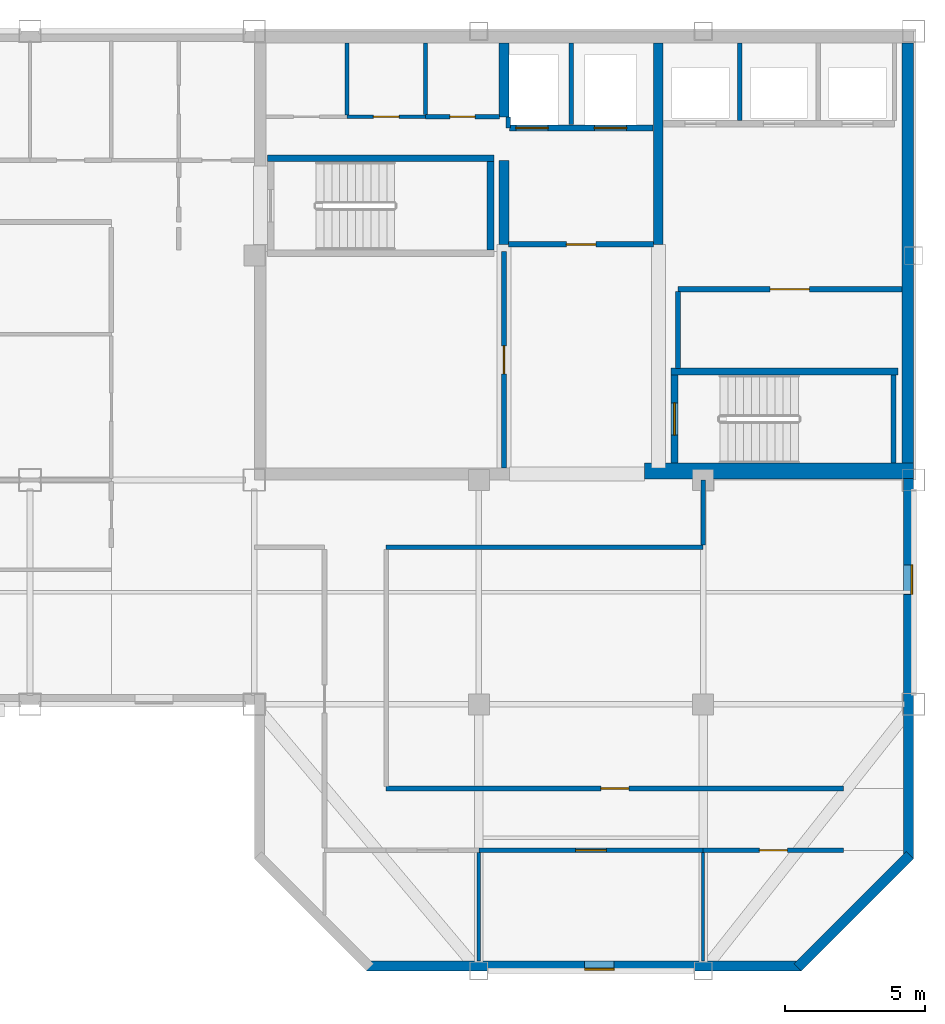
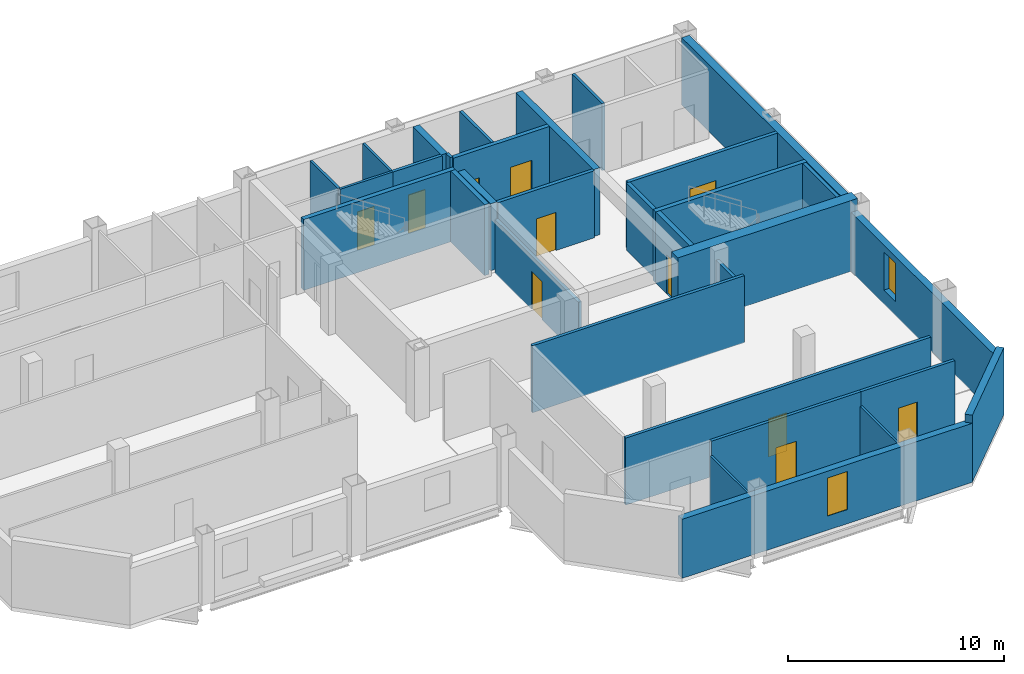
# One storey, part 3 of 7: 32 walls, 11 doors, 2 windows, 13 openings.
"""IFC4 building model written with IfcOpenShell, lengths in metres."""

from ifc_helpers import new_model, si_unit, direction, frame, frame_2d, origin, place, context, subcontext, project, spatial, rectangle, extrude, material, layer, layer_set, type_object, element, fill, save


model = new_model("IFC4")

# Units and contexts
model_context = context("Model", 3, precision=1e-05, world=origin(), true_north=direction((0.0, 1.0)))
body_context = subcontext(model_context, "Body", "Model", "MODEL_VIEW")
ifc_project = project(units=[si_unit("LENGTHUNIT", "METRE"), si_unit("AREAUNIT", "SQUARE_METRE"), si_unit("VOLUMEUNIT", "CUBIC_METRE"), si_unit("PLANEANGLEUNIT", "RADIAN"), si_unit("MASSUNIT", "GRAM", prefix="KILO")], contexts=[model_context])

# Site, building, storey
site_placement = place(None, origin())
site = spatial("IfcSite", under=ifc_project, at=site_placement, CompositionType="ELEMENT")
building_placement = place(site_placement, origin())
building = spatial("IfcBuilding", under=site, at=building_placement, Name="Qianrong Seaharbour Tower", CompositionType="ELEMENT")
storey_placement = place(building_placement, frame((0.0, 0.0, 303.199951171875)))
storey = spatial("IfcBuildingStorey", under=building, at=storey_placement, Name="L73", CompositionType="ELEMENT", Elevation=303.199951171875)

# Walls
ifc_material_1 = material(Name="Concrete C50/60", Category="concrete")
ifc_layer_1 = layer(ifc_material_1, 0.419921875)
ifc_layer_set_1 = layer_set([ifc_layer_1], Name="Concrete C50/60")
wall_type_1 = type_object("IfcWallType", Name="WALL-CORE-420", PredefinedType="SHEAR", material=ifc_layer_set_1)
wall_1_placement = place(storey_placement, frame((63.7900390625, 36.320068359375, 0.0), z_axis=(0.0, 0.0, 1.0), x_axis=(0.0, 1.0, 0.0)))
element("IfcWall", 1, at=wall_1_placement, inside=storey, type_object=wall_type_1, Name="L73 East Core Shear Wall", PredefinedType="SHEAR", context=body_context, shape_type="SweptSolid", body=[
    extrude(rectangle(XDim=15.260009765625, YDim=0.419921875, at=frame_2d((7.6298828125, 0.0))), origin(), (0.0, 0.0, 1.0), 3.78515625),
])
ifc_material_2 = material(Name="Concrete C70/85", Category="concrete")
ifc_layer_2 = layer(ifc_material_2, 0.580078125)
ifc_layer_set_2 = layer_set([ifc_layer_2], Name="Concrete C70/85")
wall_type_2 = type_object("IfcWallType", Name="WALL-CORE-580", PredefinedType="SHEAR", material=ifc_layer_set_2)
wall_2_placement = place(storey_placement, frame((54.39990234375, 36.320068359375, 0.0), z_axis=(0.0, 0.0, 1.0), x_axis=(1.0, 0.0, 0.0)))
element("IfcWall", 2, at=wall_2_placement, inside=storey, type_object=wall_type_2, Name="L73 South Core Shear Wall S3", PredefinedType="SHEAR", context=body_context, shape_type="SweptSolid", body=[
    extrude(rectangle(XDim=9.60009765625, YDim=0.580078125, at=frame_2d((4.800048828125, 0.0))), origin(), (0.0, 0.0, 1.0), 4.0),
])
ifc_layer_3 = layer(ifc_material_1, 0.35009765625)
ifc_layer_set_3 = layer_set([ifc_layer_3], Name="Concrete C50/60")
wall_type_3 = type_object("IfcWallType", Name="WALL-CORE-INT-350", PredefinedType="SHEAR", material=ifc_layer_set_3)
wall_3_placement = place(storey_placement, frame((49.39990234375, 44.39990234375, 0.0), z_axis=(0.0, 0.0, 1.0), x_axis=(0.0, 1.0, 0.0)))
element("IfcWall", 3, at=wall_3_placement, inside=storey, type_object=wall_type_3, Name="L73 Internal Core Shear Wall IW1N1", PredefinedType="SHEAR", context=body_context, shape_type="SweptSolid", body=[
    extrude(rectangle(XDim=3.0, YDim=0.35009765625, at=frame_2d((1.5, 0.0))), origin(), (0.0, 0.0, 1.0), 3.78515625),
])
wall_4_placement = place(storey_placement, frame((49.39990234375, 48.949951171875, 0.0), z_axis=(0.0, 0.0, 1.0), x_axis=(0.0, 1.0, 0.0)))
element("IfcWall", 4, at=wall_4_placement, inside=storey, type_object=wall_type_3, Name="L73 Internal Core Shear Wall IW1N2", PredefinedType="SHEAR", context=body_context, shape_type="SweptSolid", body=[
    extrude(rectangle(XDim=2.630126953125, YDim=0.35009765625, at=frame_2d((1.31494140625, 0.0))), origin(), (0.0, 0.0, 1.0), 3.78515625),
])
wall_5_placement = place(storey_placement, frame((54.89990234375, 44.39990234375, 0.0), z_axis=(0.0, 0.0, 1.0), x_axis=(0.0, 1.0, 0.0)))
element("IfcWall", 5, at=wall_5_placement, inside=storey, type_object=wall_type_3, Name="L73 Internal Core Shear Wall IW2N", PredefinedType="SHEAR", context=body_context, shape_type="SweptSolid", body=[
    extrude(rectangle(XDim=7.18017578125, YDim=0.35009765625, at=frame_2d((3.590087890625, 0.0))), origin(), (0.0, 0.0, 1.0), 3.78515625),
])

# Wall, opening, door
ifc_material_3 = material(Name="Fire-rated acoustic gypsum board partition")
ifc_layer_4 = layer(ifc_material_3, 0.1650390625)
ifc_layer_set_4 = layer_set([ifc_layer_4], Name="Fire-rated acoustic gypsum board partition")
wall_type_4 = type_object("IfcWallType", Name="WALL-CORR-PART-165", PredefinedType="PARTITIONING", material=ifc_layer_set_4)
wall_6_placement = place(storey_placement, frame((46.60009765625, 48.949951171875, 0.0), z_axis=(0.0, 0.0, 1.0), x_axis=(1.0, 0.0, 0.0)))
wall_6 = element("IfcWall", 6, at=wall_6_placement, inside=storey, type_object=wall_type_4, Name="L73 Interior Partition Wall 009", PredefinedType="PARTITIONING", context=body_context, shape_type="SweptSolid", body=[
    extrude(rectangle(XDim=2.6328125, YDim=0.1650390625, at=frame_2d((1.31640625, 0.0))), origin(), (0.0, 0.0, 1.0), 3.78515625),
])
opening_1_placement = place(wall_6_placement, frame((0.866455078125, 0.0, 0.0)))
opening_1 = element("IfcOpeningElement", 7, at=opening_1_placement, cuts=wall_6, Name="Opening DS-01", PredefinedType="OPENING", context=body_context, shape_type="SweptSolid", body=[
    extrude(rectangle(XDim=0.89990234375, YDim=2.14990234375, at=frame_2d((0.449951171875, 1.074951171875))), frame((0.0, 0.092529296875, 0.0), z_axis=(0.0, -1.0, 0.0), x_axis=(1.0, 0.0, 0.0)), (0.0, 0.0, 1.0), 0.18505859375),
])
ifc_material_4 = material(Name="Acoustic timber and galvanized steel fire door assembly", Category="steel")
door_type_1 = type_object("IfcDoorType", Name="DOOR-STORE-900x2150", OperationType="NOTDEFINED", PredefinedType="DOOR", material=ifc_material_4)
door_1_placement = place(opening_1_placement, origin())
door_1 = element("IfcDoor", 8, at=door_1_placement, inside=storey, type_object=door_type_1, Name="L73 Cleaner Store Room Door", OperationType="SINGLE_SWING_RIGHT", OverallHeight=2.14990234375, OverallWidth=0.89990234375, PredefinedType="DOOR", context=body_context, shape_type="SweptSolid", body=[
    extrude(rectangle(XDim=0.89990234375, YDim=2.14990234375, at=frame_2d((0.449951171875, 1.074951171875))), frame((0.0, 0.02490234375, 0.0), z_axis=(0.0, -1.0, 0.0), x_axis=(1.0, 0.0, 0.0)), (0.0, 0.0, 1.0), 0.050048828125),
])
fill(opening_1, door_1)

wall_7_placement = place(storey_placement, frame((49.39990234375, 36.419921875, 0.0), z_axis=(0.0, 0.0, 1.0), x_axis=(0.0, 1.0, 0.0)))
wall_7 = element("IfcWall", 9, at=wall_7_placement, inside=storey, type_object=wall_type_4, Name="L73 Interior Partition Wall 011", PredefinedType="PARTITIONING", context=body_context, shape_type="SweptSolid", body=[
    extrude(rectangle(XDim=7.72998046875, YDim=0.1650390625, at=frame_2d((3.864990234375, 0.0))), origin(), (0.0, 0.0, 1.0), 3.027099609375),
])
opening_2_placement = place(wall_7_placement, frame((3.364990234375, 0.0, 0.0)))
opening_2 = element("IfcOpeningElement", 10, at=opening_2_placement, cuts=wall_7, Name="Opening DO-01", PredefinedType="OPENING", context=body_context, shape_type="SweptSolid", body=[
    extrude(rectangle(XDim=1.0, YDim=2.14990234375, at=frame_2d((0.5, 1.074951171875))), frame((0.0, 0.092529296875, 0.0), z_axis=(0.0, -1.0, 0.0), x_axis=(1.0, 0.0, 0.0)), (0.0, 0.0, 1.0), 0.18505859375),
])
door_type_2 = type_object("IfcDoorType", Name="DOOR-OFFICE-1000x2150", OperationType="NOTDEFINED", PredefinedType="DOOR", material=ifc_material_4)
door_2_placement = place(opening_2_placement, origin())
door_2 = element("IfcDoor", 11, at=door_2_placement, inside=storey, type_object=door_type_2, Name="L73 Data Systems Office Door", OperationType="SINGLE_SWING_LEFT", OverallHeight=2.14990234375, OverallWidth=1.0, PredefinedType="DOOR", context=body_context, shape_type="SweptSolid", body=[
    extrude(rectangle(XDim=1.0, YDim=2.14990234375, at=frame_2d((0.5, 1.074951171875))), frame((0.0, 0.02490234375, 0.0), z_axis=(0.0, -1.0, 0.0), x_axis=(1.0, 0.0, 0.0)), (0.0, 0.0, 1.0), 0.050048828125),
])
fill(opening_2, door_2)

# Walls
wall_8_placement = place(storey_placement, frame((56.5, 36.0, 0.0), z_axis=(0.0, 0.0, 1.0), x_axis=(0.0, -1.0, 0.0)))
element("IfcWall", 12, at=wall_8_placement, inside=storey, type_object=wall_type_4, Name="L73 Interior Partition Wall 024", PredefinedType="PARTITIONING", context=body_context, shape_type="SweptSolid", body=[
    extrude(rectangle(XDim=2.325439453125, YDim=0.1650390625, at=frame_2d((1.16259765625, 0.0))), origin(), (0.0, 0.0, 1.0), 3.177001953125),
])
wall_9_placement = place(storey_placement, frame((56.5, 33.60009765625, 0.0), z_axis=(0.0, 0.0, 1.0), x_axis=(-1.0, 0.0, 0.0)))
element("IfcWall", 13, at=wall_9_placement, inside=storey, type_object=wall_type_4, Name="L73 Interior Partition Wall 025", PredefinedType="PARTITIONING", context=body_context, shape_type="SweptSolid", body=[
    extrude(rectangle(XDim=11.300048828125, YDim=0.1650390625, at=frame_2d((5.64990234375, 0.0))), origin(), (0.0, 0.0, 1.0), 3.78515625),
])

# Wall, opening, door
wall_10_placement = place(storey_placement, frame((45.199951171875, 25.0, 0.0), z_axis=(0.0, 0.0, 1.0), x_axis=(1.0, 0.0, 0.0)))
wall_10 = element("IfcWall", 14, at=wall_10_placement, inside=storey, type_object=wall_type_4, Name="L73 Interior Partition Wall 030", PredefinedType="PARTITIONING", context=body_context, shape_type="SweptSolid", body=[
    extrude(rectangle(XDim=16.300048828125, YDim=0.1650390625, at=frame_2d((8.14990234375, 0.0))), origin(), (0.0, 0.0, 1.0), 3.78515625),
])
opening_3_placement = place(wall_10_placement, frame((7.64990234375, 0.0, 0.0)))
opening_3 = element("IfcOpeningElement", 15, at=opening_3_placement, cuts=wall_10, Name="Opening DO-01", PredefinedType="OPENING", context=body_context, shape_type="SweptSolid", body=[
    extrude(rectangle(XDim=1.0, YDim=2.14990234375, at=frame_2d((0.5, 1.074951171875))), frame((0.0, 0.092529296875, 0.0), z_axis=(0.0, -1.0, 0.0), x_axis=(1.0, 0.0, 0.0)), (0.0, 0.0, 1.0), 0.18505859375),
])
door_3_placement = place(opening_3_placement, origin())
door_3 = element("IfcDoor", 16, at=door_3_placement, inside=storey, type_object=door_type_2, Name="L73 South Wing Open-Plan Office Door", OperationType="SINGLE_SWING_LEFT", OverallHeight=2.14990234375, OverallWidth=1.0, PredefinedType="DOOR", context=body_context, shape_type="SweptSolid", body=[
    extrude(rectangle(XDim=1.0, YDim=2.14990234375, at=frame_2d((0.5, 1.074951171875))), frame((0.0, 0.02490234375, 0.0), z_axis=(0.0, -1.0, 0.0), x_axis=(1.0, 0.0, 0.0)), (0.0, 0.0, 1.0), 0.050048828125),
])
fill(opening_3, door_3)

wall_11_placement = place(storey_placement, frame((56.5, 22.800048828125, 0.0), z_axis=(0.0, 0.0, 1.0), x_axis=(-1.0, 0.0, 0.0)))
wall_11 = element("IfcWall", 17, at=wall_11_placement, inside=storey, type_object=wall_type_4, Name="L73 Interior Partition Wall 032", PredefinedType="PARTITIONING", context=body_context, shape_type="SweptSolid", body=[
    extrude(rectangle(XDim=8.0, YDim=0.1650390625, at=frame_2d((4.0, 0.0))), origin(), (0.0, 0.0, 1.0), 3.78515625),
])
opening_4_placement = place(wall_11_placement, frame((3.449951171875, 0.0, 0.0)))
opening_4 = element("IfcOpeningElement", 18, at=opening_4_placement, cuts=wall_11, Name="Opening DM-01", PredefinedType="OPENING", context=body_context, shape_type="SweptSolid", body=[
    extrude(rectangle(XDim=1.10009765625, YDim=2.199951171875, at=frame_2d((0.550048828125, 1.10009765625))), frame((0.0, 0.092529296875, 0.0), z_axis=(0.0, -1.0, 0.0), x_axis=(1.0, 0.0, 0.0)), (0.0, 0.0, 1.0), 0.18505859375),
])
door_type_3 = type_object("IfcDoorType", Name="DOOR-MEET-1100x2200", OperationType="NOTDEFINED", PredefinedType="DOOR", material=ifc_material_4)
door_4_placement = place(opening_4_placement, origin())
door_4 = element("IfcDoor", 19, at=door_4_placement, inside=storey, type_object=door_type_3, Name="L73 Meeting Room 2 Door", OperationType="SINGLE_SWING_LEFT", OverallHeight=2.199951171875, OverallWidth=1.10009765625, PredefinedType="DOOR", context=body_context, shape_type="SweptSolid", body=[
    extrude(rectangle(XDim=1.10009765625, YDim=2.199951171875, at=frame_2d((0.550048828125, 1.10009765625))), frame((0.0, 0.02490234375, 0.0), z_axis=(0.0, -1.0, 0.0), x_axis=(1.0, 0.0, 0.0)), (0.0, 0.0, 1.0), 0.050048828125),
])
fill(opening_4, door_4)

wall_12_placement = place(storey_placement, frame((61.5, 22.800048828125, 0.0), z_axis=(0.0, 0.0, 1.0), x_axis=(-1.0, 0.0, 0.0)))
wall_12 = element("IfcWall", 20, at=wall_12_placement, inside=storey, type_object=wall_type_4, Name="L73 Interior Partition Wall 033", PredefinedType="PARTITIONING", context=body_context, shape_type="SweptSolid", body=[
    extrude(rectangle(XDim=5.0, YDim=0.1650390625, at=frame_2d((2.5, 0.0))), origin(), (0.0, 0.0, 1.0), 3.78515625),
])
opening_5_placement = place(wall_12_placement, frame((2.0, 0.0, 0.0)))
opening_5 = element("IfcOpeningElement", 21, at=opening_5_placement, cuts=wall_12, Name="Opening DO-01", PredefinedType="OPENING", context=body_context, shape_type="SweptSolid", body=[
    extrude(rectangle(XDim=1.0, YDim=2.14990234375, at=frame_2d((0.5, 1.074951171875))), frame((0.0, 0.092529296875, 0.0), z_axis=(0.0, -1.0, 0.0), x_axis=(1.0, 0.0, 0.0)), (0.0, 0.0, 1.0), 0.18505859375),
])
door_5_placement = place(opening_5_placement, origin())
door_5 = element("IfcDoor", 22, at=door_5_placement, inside=storey, type_object=door_type_2, Name="L73 Standards Library 3 Door", OperationType="SINGLE_SWING_RIGHT", OverallHeight=2.14990234375, OverallWidth=1.0, PredefinedType="DOOR", context=body_context, shape_type="SweptSolid", body=[
    extrude(rectangle(XDim=1.0, YDim=2.14990234375, at=frame_2d((0.5, 1.074951171875))), frame((0.0, 0.02490234375, 0.0), z_axis=(0.0, -1.0, 0.0), x_axis=(1.0, 0.0, 0.0)), (0.0, 0.0, 1.0), 0.050048828125),
])
fill(opening_5, door_5)

# Walls
ifc_material_5 = material(Name="Demountable aluminium-framed acoustic office partition", Category="aluminium")
ifc_layer_5 = layer(ifc_material_5, 0.110107421875)
ifc_layer_set_5 = layer_set([ifc_layer_5], Name="Demountable aluminium-framed acoustic office partition")
wall_type_5 = type_object("IfcWallType", Name="WALL-DEMOUNT-110", PredefinedType="MOVABLE", material=ifc_layer_set_5)
for number, where, z_axis, x_axis, name in (
    (23, (48.5, 22.7255859375, 0.0), (0.0, 0.0, 1.0), (0.0, -1.0, 0.0), "L73 Interior Partition Wall 041"),
    (24, (56.5, 22.7255859375, 0.0), (0.0, 0.0, 1.0), (0.0, -1.0, 0.0), "L73 Interior Partition Wall 042"),
):
    element("IfcWall", number, at=place(storey_placement, frame(where, z_axis=z_axis, x_axis=x_axis)), inside=storey, type_object=wall_type_5, Name=name, PredefinedType="MOVABLE", context=body_context, shape_type="SweptSolid", body=[
        extrude(rectangle(XDim=3.87353515625, YDim=0.110107421875, at=frame_2d((1.936767578125, 0.0))), origin(), (0.0, 0.0, 1.0), 2.97705078125),
    ])

# Wall, opening, window
ifc_material_6 = material(Name="Unitised red brick on Precast concrete C45/55", Category="masonry")
ifc_layer_6 = layer(ifc_material_6, 0.360107421875)
ifc_layer_set_6 = layer_set([ifc_layer_6], Name="Unitised red brick on Precast concrete C45/55")
wall_type_6 = type_object("IfcWallType", Name="WALL-EXT-BRICK-RED-360", PredefinedType="SOLIDWALL", material=ifc_layer_set_6)
wall_13_placement = place(storey_placement, frame((63.820068359375, 36.050048828125, 0.0), z_axis=(0.0, 0.0, 1.0), x_axis=(0.0, -1.0, 0.0)))
wall_13 = element("IfcWall", 25, at=wall_13_placement, inside=storey, type_object=wall_type_6, Name="L73 Exterior Masonry Facade Wall EAST_WING", PredefinedType="SOLIDWALL", context=body_context, shape_type="SweptSolid", body=[
    extrude(rectangle(XDim=13.550048828125, YDim=0.360107421875, at=frame_2d((6.77490234375, 0.0))), origin(), (0.0, 0.0, 1.0), 3.3349609375),
])
opening_6_placement = place(wall_13_placement, frame((3.074951171875, 0.0, 0.800048828125)))
opening_6 = element("IfcOpeningElement", 26, at=opening_6_placement, cuts=wall_13, Name="Opening WN-14", PredefinedType="OPENING", context=body_context, shape_type="SweptSolid", body=[
    extrude(rectangle(XDim=1.050048828125, YDim=2.14990234375, at=frame_2d((0.52490234375, 1.074951171875))), frame((0.0, 0.18994140625, 0.0), z_axis=(0.0, -1.0, 0.0), x_axis=(1.0, 0.0, 0.0)), (0.0, 0.0, 1.0), 0.380126953125),
])
ifc_material_7 = material(Name="Insulated low-e double glazing in thermally broken aluminium 6063-T6 frame", Category="aluminium")
window_type = type_object("IfcWindowType", Name="WIN-NARROW-1050x2150", PartitioningType="SINGLE_PANEL", PredefinedType="WINDOW", material=ifc_material_7)
window_1_placement = place(opening_6_placement, origin())
window_1 = element("IfcWindow", 27, at=window_1_placement, inside=storey, type_object=window_type, Name="L73 Deep-Set Punched Window 06.01", OverallHeight=2.14990234375, OverallWidth=1.050048828125, PartitioningType="SINGLE_PANEL", PredefinedType="WINDOW", context=body_context, shape_type="SweptSolid", body=[
    extrude(rectangle(XDim=1.050048828125, YDim=2.14990234375, at=frame_2d((0.52490234375, 1.074951171875))), frame((0.0, 0.150146484375, 0.0), z_axis=(0.0, -1.0, 0.0), x_axis=(1.0, 0.0, 0.0)), (0.0, 0.0, 1.0), 0.06005859375),
])
fill(opening_6, window_1)

# Wall
wall_14_placement = place(storey_placement, frame((63.872802734375, 22.627197265625, 0.0), z_axis=(0.0, 0.0, 1.0), x_axis=(-0.707106781187, -0.707106781187, 0.0)))
element("IfcWall", 28, at=wall_14_placement, inside=storey, type_object=wall_type_6, Name="L73 Exterior Masonry Facade Wall E07", PredefinedType="SOLIDWALL", context=body_context, shape_type="SweptSolid", body=[
    extrude(rectangle(XDim=5.65673828125, YDim=0.360107421875, at=frame_2d((2.828369140625, 0.0))), origin(), (0.0, 0.0, 1.0), 3.78515625),
])

# Wall, opening, window
wall_15_placement = place(storey_placement, frame((60.0, 18.679931640625, 0.0), z_axis=(0.0, 0.0, 1.0), x_axis=(-1.0, 0.0, 0.0)))
wall_15 = element("IfcWall", 29, at=wall_15_placement, inside=storey, type_object=wall_type_6, Name="L73 Exterior Masonry Facade Wall SOUTH_TIP", PredefinedType="SOLIDWALL", context=body_context, shape_type="SweptSolid", body=[
    extrude(rectangle(XDim=15.5, YDim=0.360107421875, at=frame_2d((7.75, 0.0))), origin(), (0.0, 0.0, 1.0), 3.3349609375),
])
opening_7_placement = place(wall_15_placement, frame((6.675048828125, 0.0, 0.800048828125)))
opening_7 = element("IfcOpeningElement", 30, at=opening_7_placement, cuts=wall_15, Name="Opening WN-14", PredefinedType="OPENING", context=body_context, shape_type="SweptSolid", body=[
    extrude(rectangle(XDim=1.050048828125, YDim=2.14990234375, at=frame_2d((0.52490234375, 1.074951171875))), frame((0.0, 0.18994140625, 0.0), z_axis=(0.0, -1.0, 0.0), x_axis=(1.0, 0.0, 0.0)), (0.0, 0.0, 1.0), 0.380126953125),
])
window_2_placement = place(opening_7_placement, origin())
window_2 = element("IfcWindow", 31, at=window_2_placement, inside=storey, type_object=window_type, Name="L73 Deep-Set Punched Window 08.02", OverallHeight=2.14990234375, OverallWidth=1.050048828125, PartitioningType="SINGLE_PANEL", PredefinedType="WINDOW", context=body_context, shape_type="SweptSolid", body=[
    extrude(rectangle(XDim=1.050048828125, YDim=2.14990234375, at=frame_2d((0.52490234375, 1.074951171875))), frame((0.0, 0.150146484375, 0.0), z_axis=(0.0, -1.0, 0.0), x_axis=(1.0, 0.0, 0.0)), (0.0, 0.0, 1.0), 0.06005859375),
])
fill(opening_7, window_2)

# Wall, opening, door
ifc_material_8 = material(Name="Double fire-rated gypsum board acoustic partition")
ifc_layer_7 = layer(ifc_material_8, 0.18994140625)
ifc_layer_set_7 = layer_set([ifc_layer_7], Name="Double fire-rated gypsum board acoustic partition")
wall_type_7 = type_object("IfcWallType", Name="WALL-FIRE-PART-190", PredefinedType="PARTITIONING", material=ifc_layer_set_7)
wall_16_placement = place(storey_placement, frame((54.73291015625, 44.39990234375, 0.0), z_axis=(0.0, 0.0, 1.0), x_axis=(-1.0, 0.0, 0.0)))
wall_16 = element("IfcWall", 32, at=wall_16_placement, inside=storey, type_object=wall_type_7, Name="L73 Interior Partition Wall 010", PredefinedType="PARTITIONING", context=body_context, shape_type="SweptSolid", body=[
    extrude(rectangle(XDim=5.166015625, YDim=0.18994140625, at=frame_2d((2.5830078125, 0.0))), origin(), (0.0, 0.0, 1.0), 3.78515625),
])
opening_8_placement = place(wall_16_placement, frame((2.05810546875, 0.0, 0.0)))
opening_8 = element("IfcOpeningElement", 33, at=opening_8_placement, cuts=wall_16, Name="Opening DC-01", PredefinedType="OPENING", context=body_context, shape_type="SweptSolid", body=[
    extrude(rectangle(XDim=1.050048828125, YDim=2.14990234375, at=frame_2d((0.52490234375, 1.074951171875))), frame((0.0, 0.10498046875, 0.0), z_axis=(0.0, -1.0, 0.0), x_axis=(1.0, 0.0, 0.0)), (0.0, 0.0, 1.0), 0.2099609375),
])
door_type_4 = type_object("IfcDoorType", Name="DOOR-CORR-FD60-1050x2150", OperationType="NOTDEFINED", PredefinedType="DOOR", material=ifc_material_4)
door_6_placement = place(opening_8_placement, origin())
door_6 = element("IfcDoor", 34, at=door_6_placement, inside=storey, type_object=door_type_4, Name="L73 Firefighting Lift Lobby Door", OperationType="SINGLE_SWING_RIGHT", OverallHeight=2.14990234375, OverallWidth=1.050048828125, PredefinedType="DOOR", context=body_context, shape_type="SweptSolid", body=[
    extrude(rectangle(XDim=1.050048828125, YDim=2.14990234375, at=frame_2d((0.52490234375, 1.074951171875))), frame((0.0, 0.02490234375, 0.0), z_axis=(0.0, -1.0, 0.0), x_axis=(1.0, 0.0, 0.0)), (0.0, 0.0, 1.0), 0.050048828125),
])
fill(opening_8, door_6)

# Wall
wall_17_placement = place(storey_placement, frame((55.60009765625, 42.712890625, 0.0), z_axis=(0.0, 0.0, 1.0), x_axis=(0.0, -1.0, 0.0)))
element("IfcWall", 35, at=wall_17_placement, inside=storey, type_object=wall_type_7, Name="L73 Interior Partition Wall 012", PredefinedType="PARTITIONING", context=body_context, shape_type="SweptSolid", body=[
    extrude(rectangle(XDim=2.73095703125, YDim=0.18994140625, at=frame_2d((1.365478515625, 0.0))), origin(), (0.0, 0.0, 1.0), 3.78515625),
])

# Wall, opening, door
wall_18_placement = place(storey_placement, frame((63.580078125, 42.800048828125, 0.0), z_axis=(0.0, 0.0, 1.0), x_axis=(-1.0, 0.0, 0.0)))
wall_18 = element("IfcWall", 36, at=wall_18_placement, inside=storey, type_object=wall_type_7, Name="L73 Interior Partition Wall 013", PredefinedType="PARTITIONING", context=body_context, shape_type="SweptSolid", body=[
    extrude(rectangle(XDim=7.97998046875, YDim=0.18994140625, at=frame_2d((3.989990234375, 0.0))), origin(), (0.0, 0.0, 1.0), 3.78515625),
])
opening_9_placement = place(wall_18_placement, frame((3.2900390625, 0.0, 0.0)))
opening_9 = element("IfcOpeningElement", 37, at=opening_9_placement, cuts=wall_18, Name="Opening DP-01", PredefinedType="OPENING", context=body_context, shape_type="SweptSolid", body=[
    extrude(rectangle(XDim=1.39990234375, YDim=2.25, at=frame_2d((0.699951171875, 1.125))), frame((0.0, 0.10498046875, 0.0), z_axis=(0.0, -1.0, 0.0), x_axis=(1.0, 0.0, 0.0)), (0.0, 0.0, 1.0), 0.2099609375),
])
door_type_5 = type_object("IfcDoorType", Name="DOOR-PLANT-PAIR-1400x2250", OperationType="DOUBLE_DOOR_SINGLE_SWING", PredefinedType="DOOR", material=ifc_material_4)
door_7_placement = place(opening_9_placement, origin())
door_7 = element("IfcDoor", 38, at=door_7_placement, inside=storey, type_object=door_type_5, Name="L73 Core Telecom Hub Room Door", OperationType="DOUBLE_DOOR_SINGLE_SWING", OverallHeight=2.25, OverallWidth=1.39990234375, PredefinedType="DOOR", context=body_context, shape_type="SweptSolid", body=[
    extrude(rectangle(XDim=1.39990234375, YDim=2.25, at=frame_2d((0.699951171875, 1.125))), frame((0.0, 0.02490234375, 0.0), z_axis=(0.0, -1.0, 0.0), x_axis=(1.0, 0.0, 0.0)), (0.0, 0.0, 1.0), 0.050048828125),
])
fill(opening_9, door_7)

# Walls
ifc_material_9 = material(Name="Fire-rated gypsum board on steel studs", Category="steel")
ifc_layer_8 = layer(ifc_material_9, 0.14990234375)
ifc_layer_set_8 = layer_set([ifc_layer_8], Name="Fire-rated gypsum board on steel studs")
wall_type_8 = type_object("IfcWallType", Name="WALL-SHAFT-DIV-150", PredefinedType="PARTITIONING", material=ifc_layer_set_8)
wall_19_placement = place(storey_placement, frame((51.800048828125, 48.669921875, 0.0), z_axis=(0.0, 0.0, 1.0), x_axis=(0.0, 1.0, 0.0)))
element("IfcWall", 39, at=wall_19_placement, inside=storey, type_object=wall_type_8, Name="L73 Firefighting Lift Shaft Divider Wall", PredefinedType="PARTITIONING", context=body_context, shape_type="SweptSolid", body=[
    extrude(rectangle(XDim=2.91015625, YDim=0.14990234375, at=frame_2d((1.455078125, 0.0))), origin(), (0.0, 0.0, 1.0), 3.78515625),
])
wall_20_placement = place(storey_placement, frame((49.550048828125, 48.550048828125, 0.0), z_axis=(0.0, 0.0, 1.0), x_axis=(0.0, 1.0, 0.0)))
element("IfcWall", 40, at=wall_20_placement, inside=storey, type_object=wall_type_8, Name="L73 Firefighting Lift Shaft West Return Wall", PredefinedType="PARTITIONING", context=body_context, shape_type="SweptSolid", body=[
    extrude(rectangle(XDim=0.39990234375, YDim=0.14990234375, at=frame_2d((0.199951171875, 0.0))), origin(), (0.0, 0.0, 1.0), 3.78515625),
])
wall_21_placement = place(storey_placement, frame((57.800048828125, 48.81005859375, 0.0), z_axis=(0.0, 0.0, 1.0), x_axis=(0.0, 1.0, 0.0)))
element("IfcWall", 41, at=wall_21_placement, inside=storey, type_object=wall_type_8, Name="L73 P4 Lift Hoistway Divider 2", PredefinedType="PARTITIONING", context=body_context, shape_type="SweptSolid", body=[
    extrude(rectangle(XDim=2.77001953125, YDim=0.14990234375, at=frame_2d((1.385009765625, 0.0))), origin(), (0.0, 0.0, 1.0), 3.78515625),
])

# Wall, openings, doors
ifc_layer_9 = layer(ifc_material_9, 0.219970703125)
ifc_layer_set_9 = layer_set([ifc_layer_9], Name="Fire-rated gypsum board on steel studs")
wall_type_9 = type_object("IfcWallType", Name="WALL-SHAFT-GYP220", PredefinedType="PARTITIONING", material=ifc_layer_set_9)
wall_22_placement = place(storey_placement, frame((54.7099609375, 48.550048828125, 0.0), z_axis=(0.0, 0.0, 1.0), x_axis=(-1.0, 0.0, 0.0)))
wall_22 = element("IfcWall", 42, at=wall_22_placement, inside=storey, type_object=wall_type_9, Name="L73 Firefighting Lift Shaft Front Wall", PredefinedType="PARTITIONING", context=body_context, shape_type="SweptSolid", body=[
    extrude(rectangle(XDim=5.119873046875, YDim=0.219970703125, at=frame_2d((2.56005859375, 0.0))), origin(), (0.0, 0.0, 1.0), 3.78515625),
])
opening_10_placement = place(wall_22_placement, frame((3.735107421875, 0.0, 0.0)))
opening_10 = element("IfcOpeningElement", 43, at=opening_10_placement, cuts=wall_22, Name="Opening LD-01", PredefinedType="OPENING", context=body_context, shape_type="SweptSolid", body=[
    extrude(rectangle(XDim=1.14990234375, YDim=2.199951171875, at=frame_2d((0.574951171875, 1.10009765625))), frame((0.0, 0.1201171875, 0.0), z_axis=(0.0, -1.0, 0.0), x_axis=(1.0, 0.0, 0.0)), (0.0, 0.0, 1.0), 0.239990234375),
])
opening_11_placement = place(wall_22_placement, frame((0.93505859375, 0.0, 0.0)))
opening_11 = element("IfcOpeningElement", 44, at=opening_11_placement, cuts=wall_22, Name="Opening LD-01", PredefinedType="OPENING", context=body_context, shape_type="SweptSolid", body=[
    extrude(rectangle(XDim=1.14990234375, YDim=2.199951171875, at=frame_2d((0.574951171875, 1.10009765625))), frame((0.0, 0.1201171875, 0.0), z_axis=(0.0, -1.0, 0.0), x_axis=(1.0, 0.0, 0.0)), (0.0, 0.0, 1.0), 0.239990234375),
])
ifc_material_10 = material(Name="Stainless steel SUS316L bi-parting lift landing door", Category="steel")
door_type_6 = type_object("IfcDoorType", Name="DOOR-LIFT-FF-1150x2200", OperationType="DOUBLE_DOOR_SLIDING", PredefinedType="DOOR", material=ifc_material_10)
door_8_placement = place(opening_10_placement, origin())
door_8 = element("IfcDoor", 45, at=door_8_placement, inside=storey, type_object=door_type_6, Name="L73 FL-1 Firefighting Lift Landing Door", OperationType="DOUBLE_DOOR_SLIDING", OverallHeight=2.199951171875, OverallWidth=1.14990234375, PredefinedType="DOOR", context=body_context, shape_type="SweptSolid", body=[
    extrude(rectangle(XDim=1.14990234375, YDim=2.199951171875, at=frame_2d((0.574951171875, 1.10009765625))), frame((0.0, 0.02490234375, 0.0), z_axis=(0.0, -1.0, 0.0), x_axis=(1.0, 0.0, 0.0)), (0.0, 0.0, 1.0), 0.050048828125),
])
fill(opening_10, door_8)
door_9_placement = place(opening_11_placement, origin())
door_9 = element("IfcDoor", 46, at=door_9_placement, inside=storey, type_object=door_type_6, Name="L73 FL-2 Firefighting Lift Landing Door", OperationType="DOUBLE_DOOR_SLIDING", OverallHeight=2.199951171875, OverallWidth=1.14990234375, PredefinedType="DOOR", context=body_context, shape_type="SweptSolid", body=[
    extrude(rectangle(XDim=1.14990234375, YDim=2.199951171875, at=frame_2d((0.574951171875, 1.10009765625))), frame((0.0, 0.02490234375, 0.0), z_axis=(0.0, -1.0, 0.0), x_axis=(1.0, 0.0, 0.0)), (0.0, 0.0, 1.0), 0.050048828125),
])
fill(opening_11, door_9)

# Walls
ifc_layer_10 = layer(ifc_material_1, 0.239990234375)
ifc_layer_set_10 = layer_set([ifc_layer_10], Name="Concrete C50/60")
wall_type_10 = type_object("IfcWallType", Name="WALL-SHAFT-RC240", PredefinedType="SOLIDWALL", material=ifc_layer_set_10)
wall_23_placement = place(storey_placement, frame((40.9599609375, 47.469970703125, 0.0), z_axis=(0.0, 0.0, 1.0), x_axis=(1.0, 0.0, 0.0)))
element("IfcWall", 47, at=wall_23_placement, inside=storey, type_object=wall_type_10, Name="L73 ST-1 Structural Stair Core Wall N", PredefinedType="SOLIDWALL", context=body_context, shape_type="SweptSolid", body=[
    extrude(rectangle(XDim=8.080078125, YDim=0.239990234375, at=frame_2d((4.0400390625, 0.0))), origin(), (0.0, 0.0, 1.0), 4.0),
])
wall_24_placement = place(storey_placement, frame((48.919921875, 44.199951171875, 0.0), z_axis=(0.0, 0.0, 1.0), x_axis=(0.0, 1.0, 0.0)))
element("IfcWall", 48, at=wall_24_placement, inside=storey, type_object=wall_type_10, Name="L73 ST-1 Structural Stair Core Wall E", PredefinedType="SOLIDWALL", context=body_context, shape_type="SweptSolid", body=[
    extrude(rectangle(XDim=3.150146484375, YDim=0.239990234375, at=frame_2d((1.5751953125, 0.0))), origin(), (0.0, 0.0, 1.0), 4.0),
])
wall_25_placement = place(storey_placement, frame((55.360107421875, 39.8701171875, 0.0), z_axis=(0.0, 0.0, 1.0), x_axis=(1.0, 0.0, 0.0)))
element("IfcWall", 49, at=wall_25_placement, inside=storey, type_object=wall_type_10, Name="L73 ST-2 Structural Stair Core Wall N", PredefinedType="SOLIDWALL", context=body_context, shape_type="SweptSolid", body=[
    extrude(rectangle(XDim=8.079833984375, YDim=0.239990234375, at=frame_2d((4.0400390625, 0.0))), origin(), (0.0, 0.0, 1.0), 4.0),
])

# Wall, opening, door
wall_26_placement = place(storey_placement, frame((55.47998046875, 39.75, 0.0), z_axis=(0.0, 0.0, 1.0), x_axis=(0.0, -1.0, 0.0)))
wall_26 = element("IfcWall", 50, at=wall_26_placement, inside=storey, type_object=wall_type_10, Name="L73 ST-2 Structural Stair Core Wall W", PredefinedType="SOLIDWALL", context=body_context, shape_type="SweptSolid", body=[
    extrude(rectangle(XDim=3.14990234375, YDim=0.239990234375, at=frame_2d((1.574951171875, 0.0))), origin(), (0.0, 0.0, 1.0), 4.0),
])
opening_12_placement = place(wall_26_placement, frame((1.0, 0.0, 0.0)))
opening_12 = element("IfcOpeningElement", 51, at=opening_12_placement, cuts=wall_26, Name="Opening SD-01", PredefinedType="OPENING", context=body_context, shape_type="SweptSolid", body=[
    extrude(rectangle(XDim=1.14990234375, YDim=2.199951171875, at=frame_2d((0.574951171875, 1.10009765625))), frame((0.0, 0.1298828125, 0.0), z_axis=(0.0, -1.0, 0.0), x_axis=(1.0, 0.0, 0.0)), (0.0, 0.0, 1.0), 0.260009765625),
])
door_type_7 = type_object("IfcDoorType", Name="DOOR-STAIR-FD60-1150x2200", OperationType="NOTDEFINED", PredefinedType="DOOR", material=ifc_material_4)
door_10_placement = place(opening_12_placement, origin())
door_10 = element("IfcDoor", 52, at=door_10_placement, inside=storey, type_object=door_type_7, Name="L73 ST-2 Protected Stair Door", OperationType="SINGLE_SWING_RIGHT", OverallHeight=2.199951171875, OverallWidth=1.14990234375, PredefinedType="DOOR", context=body_context, shape_type="SweptSolid", body=[
    extrude(rectangle(XDim=1.14990234375, YDim=2.199951171875, at=frame_2d((0.574951171875, 1.10009765625))), frame((0.0, 0.02490234375, 0.0), z_axis=(0.0, -1.0, 0.0), x_axis=(1.0, 0.0, 0.0)), (0.0, 0.0, 1.0), 0.050048828125),
])
fill(opening_12, door_10)

# Wall
wall_27_placement = place(storey_placement, frame((63.2900390625, 36.60009765625, 0.0), z_axis=(0.0, 0.0, 1.0), x_axis=(0.0, 1.0, 0.0)))
element("IfcWall", 53, at=wall_27_placement, inside=storey, type_object=wall_type_10, Name="L73 ST-2 Structural Stair Core Wall E", PredefinedType="SOLIDWALL", context=body_context, shape_type="SweptSolid", body=[
    extrude(rectangle(XDim=3.14990234375, YDim=0.179931640625, at=frame_2d((1.574951171875, 0.0))), origin(), (0.0, 0.0, 1.0), 4.0),
])

# Wall, opening, door
ifc_material_11 = material(Name="Water-resistant cement board sanitary partition")
ifc_layer_11 = layer(ifc_material_11, 0.1298828125)
ifc_layer_set_11 = layer_set([ifc_layer_11], Name="Water-resistant cement board sanitary partition")
wall_type_11 = type_object("IfcWallType", Name="WALL-WET-PART-130", PredefinedType="PARTITIONING", material=ifc_layer_set_11)
wall_28_placement = place(storey_placement, frame((43.800048828125, 48.949951171875, 0.0), z_axis=(0.0, 0.0, 1.0), x_axis=(1.0, 0.0, 0.0)))
wall_28 = element("IfcWall", 54, at=wall_28_placement, inside=storey, type_object=wall_type_11, Name="L73 Interior Partition Wall 008", PredefinedType="PARTITIONING", context=body_context, shape_type="SweptSolid", body=[
    extrude(rectangle(XDim=2.800048828125, YDim=0.1298828125, at=frame_2d((1.39990234375, 0.0))), origin(), (0.0, 0.0, 1.0), 3.78515625),
])
opening_13_placement = place(wall_28_placement, frame((0.93994140625, 0.0, 0.0)))
opening_13 = element("IfcOpeningElement", 55, at=opening_13_placement, cuts=wall_28, Name="Opening DW-01", PredefinedType="OPENING", context=body_context, shape_type="SweptSolid", body=[
    extrude(rectangle(XDim=0.919921875, YDim=2.14990234375, at=frame_2d((0.4599609375, 1.074951171875))), frame((0.0, 0.074951171875, 0.0), z_axis=(0.0, -1.0, 0.0), x_axis=(1.0, 0.0, 0.0)), (0.0, 0.0, 1.0), 0.14990234375),
])
door_type_8 = type_object("IfcDoorType", Name="DOOR-WC-920x2150", OperationType="NOTDEFINED", PredefinedType="DOOR", material=ifc_material_4)
door_11_placement = place(opening_13_placement, origin())
door_11 = element("IfcDoor", 56, at=door_11_placement, inside=storey, type_object=door_type_8, Name="L73 Female Restroom WC Door", OperationType="SINGLE_SWING_LEFT", OverallHeight=2.14990234375, OverallWidth=0.919921875, PredefinedType="DOOR", context=body_context, shape_type="SweptSolid", body=[
    extrude(rectangle(XDim=0.919921875, YDim=2.14990234375, at=frame_2d((0.4599609375, 1.074951171875))), frame((0.0, 0.02490234375, 0.0), z_axis=(0.0, -1.0, 0.0), x_axis=(1.0, 0.0, 0.0)), (0.0, 0.0, 1.0), 0.050048828125),
])
fill(opening_13, door_11)

# Walls
wall_29_placement = place(storey_placement, frame((43.800048828125, 51.580078125, 0.0), z_axis=(0.0, 0.0, 1.0), x_axis=(0.0, -1.0, 0.0)))
element("IfcWall", 57, at=wall_29_placement, inside=storey, type_object=wall_type_11, Name="L73 Interior Partition Wall 014", PredefinedType="PARTITIONING", context=body_context, shape_type="SweptSolid", body=[
    extrude(rectangle(XDim=2.572998046875, YDim=0.1298828125, at=frame_2d((1.28662109375, 0.0))), origin(), (0.0, 0.0, 1.0), 3.78515625),
])
wall_30_placement = place(storey_placement, frame((46.60009765625, 51.580078125, 0.0), z_axis=(0.0, 0.0, 1.0), x_axis=(0.0, -1.0, 0.0)))
element("IfcWall", 58, at=wall_30_placement, inside=storey, type_object=wall_type_11, Name="L73 Interior Partition Wall 015", PredefinedType="PARTITIONING", context=body_context, shape_type="SweptSolid", body=[
    extrude(rectangle(XDim=2.5556640625, YDim=0.1298828125, at=frame_2d((1.27783203125, 0.0))), origin(), (0.0, 0.0, 1.0), 3.78515625),
])

save(model, "model.ifc")
